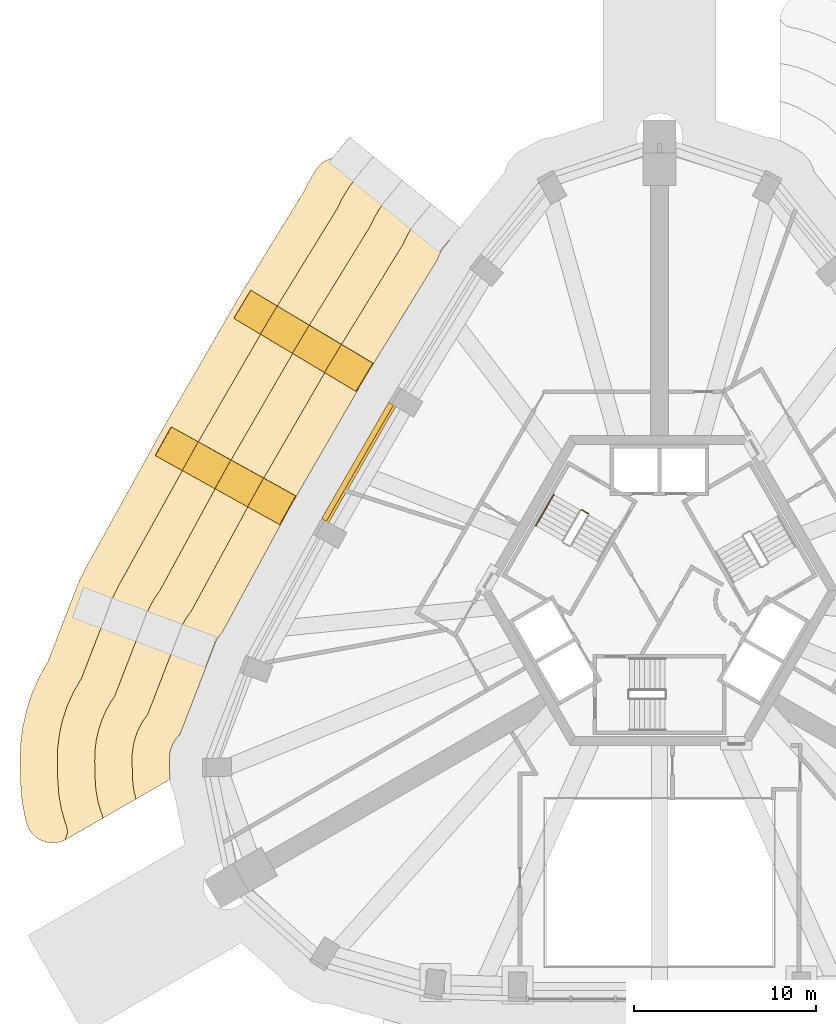
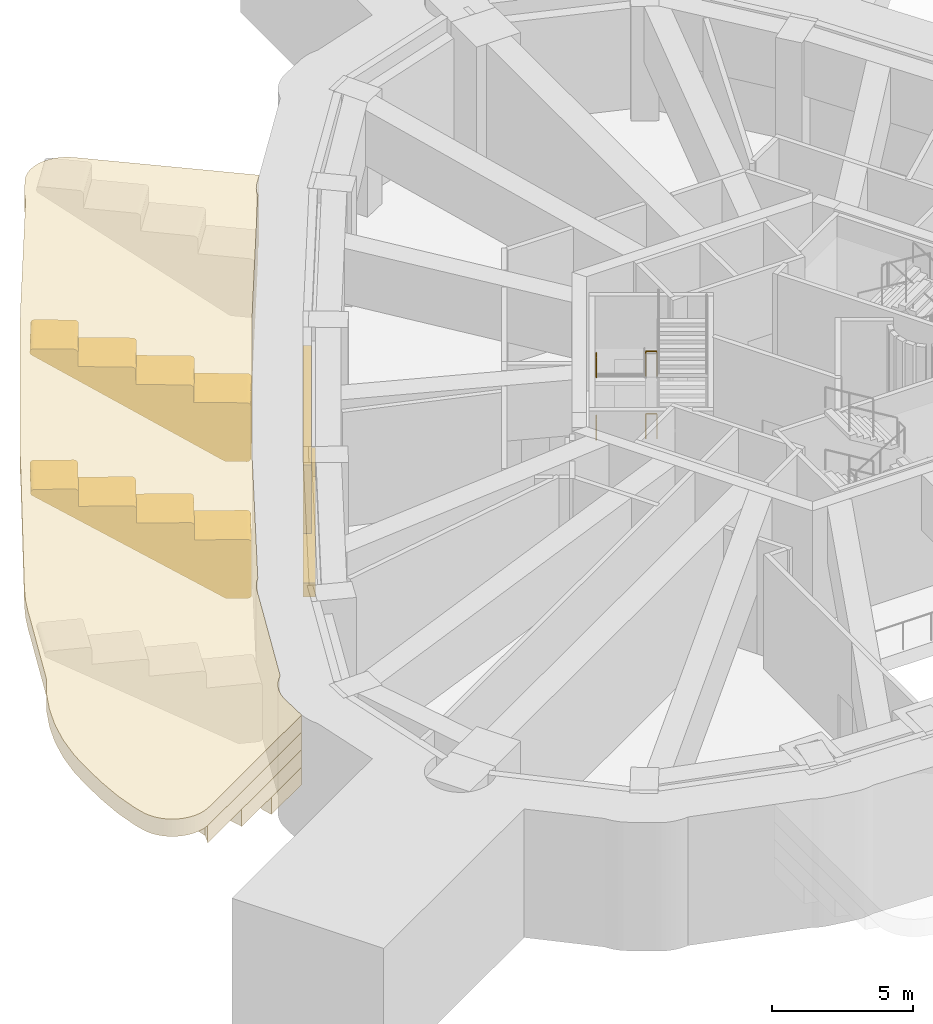
# One storey, part 13 of 15: 7 coverings, 4 railings, 1 shading device.
"""IFC4 building model written with IfcOpenShell, lengths in metres."""

from ifc_helpers import new_model, si_unit, direction, frame, origin, origin_2d, place, context, subcontext, project, spatial, polyline, rectangle, circle, outline, extrude, material, layer, layer_set, type_object, element, save


model = new_model("IFC4")

# Units and contexts
model_context = context("Model", 3, precision=1e-05, world=origin(), true_north=direction((0.0, 1.0)))
body_context = subcontext(model_context, "Body", "Model", "MODEL_VIEW")
ifc_project = project(units=[si_unit("LENGTHUNIT", "METRE"), si_unit("AREAUNIT", "SQUARE_METRE"), si_unit("VOLUMEUNIT", "CUBIC_METRE"), si_unit("PLANEANGLEUNIT", "RADIAN"), si_unit("MASSUNIT", "GRAM", prefix="KILO")], contexts=[model_context])

# Site, building, storey
site_placement = place(None, origin())
site = spatial("IfcSite", under=ifc_project, at=site_placement, CompositionType="ELEMENT")
building_placement = place(site_placement, origin())
building = spatial("IfcBuilding", under=site, at=building_placement, Name="Entoto Arch Interchange Tower", CompositionType="ELEMENT")
storey_placement = place(building_placement, frame((0.0, 0.0, 326.0)))
storey = spatial("IfcBuildingStorey", under=building, at=storey_placement, Name="L77", CompositionType="ELEMENT", Elevation=326.0)

# Shading device
ifc_material_1 = material(Name="Aluminium, anodised", Category="aluminium")
ifc_layer = layer(ifc_material_1, 0.300048828125)
ifc_layer_set = layer_set([ifc_layer], Name="Aluminium, anodised")
shading_device_type = type_object("IfcShadingDeviceType", Name="PLANT LOUVRE ALUMINIUM", PredefinedType="JALOUSIE", material=ifc_layer_set)
shading_device_placement = place(storey_placement, frame((-16.56005859375, 9.56103515625, 1.2001953125), z_axis=(0.0, 0.0, 1.0), x_axis=(-0.49990930729, -0.866077758913, 0.0)))
element("IfcShadingDevice", 1, at=shading_device_placement, inside=storey, type_object=shading_device_type, Name="Plant louvre NW-02 L77", PredefinedType="JALOUSIE", context=body_context, shape_type="SweptSolid", body=[
    extrude(rectangle(XDim=7.35693359375, YDim=0.300048828125, at=origin_2d()), origin(), (0.0, 0.0, 1.0), 2.949951171875),
])

# Coverings
ifc_material_2 = material(Name="Board-marked precast concrete C50/60", Category="concrete")
covering_type_1 = type_object("IfcCoveringType", Name="PRECAST FRAME COURSE", PredefinedType="CLADDING", material=ifc_material_2)
covering_1_placement = place(storey_placement, frame((0.0, 0.0, 4.199951171875)))
element("IfcCovering", 2, at=covering_1_placement, inside=storey, type_object=covering_type_1, Name="Cantilever cornice nw-L77 1", PredefinedType="CLADDING", context=body_context, shape_type="SweptSolid", body=[
    extrude(outline(polyline([(-32.782958984375, -11.258056640625), (-32.9208984375, -11.298095703125), (-33.06298828125, -11.324951171875), (-33.2060546875, -11.337890625), (-33.35009765625, -11.3369140625), (-33.492919921875, -11.322998046875), (-33.634033203125, -11.294921875), (-33.77197265625, -11.2529296875), (-33.906005859375, -11.198974609375), (-34.032958984375, -11.132080078125), (-34.153076171875, -11.052978515625), (-34.26611328125, -10.9619140625), (-34.368896484375, -10.862060546875), (-34.4619140625, -10.751953125), (-34.5439453125, -10.634033203125), (-34.614013671875, -10.508056640625), (-34.672119140625, -10.3759765625), (-34.717041015625, -10.239013671875), (-34.73193359375, -10.18505859375), (-34.7900390625, -9.97509765625), (-34.822021484375, -9.8310546875), (-34.964111328125, -9.010009765625), (-34.98193359375, -8.864013671875), (-35.0458984375, -7.9951171875), (-35.050048828125, -7.922119140625), (-35.072021484375, -6.9951171875), (-35.072021484375, -6.922119140625), (-35.06689453125, -6.693115234375), (-35.051025390625, -6.051025390625), (-35.0400390625, -5.904052734375), (-34.93701171875, -5.076904296875), (-34.912109375, -4.931884765625), (-34.72900390625, -4.117919921875), (-34.68994140625, -3.97607421875), (-34.492919921875, -3.3798828125), (-34.427978515625, -3.18408203125), (-34.375, -3.047119140625), (-34.037109375, -2.284912109375), (-33.970947265625, -2.153076171875), (-33.679931640625, -1.64111328125), (-33.571044921875, -1.447998046875), (-33.5439453125, -1.39990234375), (-33.52392578125, -1.34912109375), (-32.822021484375, 0.466064453125), (-32.217041015625, 2.029052734375), (-32.216064453125, 2.032958984375), (-32.215087890625, 2.035888671875), (-32.069091796875, 2.424072265625), (-32.049072265625, 2.47607421875), (-31.7958984375, 3.0810546875), (-31.75, 3.180908203125), (-31.4541015625, 3.76611328125), (-31.427978515625, 3.81494140625), (-30.373046875, 5.718994140625), (-27.820068359375, 10.324951171875), (-27.81103515625, 10.340087890625), (-27.802978515625, 10.35595703125), (-27.780029296875, 10.405029296875), (-27.779052734375, 10.405029296875), (-27.7451171875, 10.469970703125), (-27.68994140625, 10.570068359375), (-27.280029296875, 11.306884765625), (-27.27392578125, 11.318115234375), (-27.195068359375, 11.45703125), (-27.18896484375, 11.468017578125), (-23.5380859375, 17.77490234375), (-23.531982421875, 17.785888671875), (-23.52587890625, 17.797119140625), (-23.452880859375, 17.93408203125), (-23.416015625, 17.998046875), (-22.923095703125, 18.821044921875), (-22.9189453125, 18.827880859375), (-22.885009765625, 18.884033203125), (-22.865966796875, 18.916015625), (-22.861083984375, 18.923095703125), (-21.303955078125, 21.4580078125), (-19.47412109375, 24.43701171875), (-19.452880859375, 24.471923828125), (-19.43505859375, 24.508056640625), (-19.27587890625, 24.843994140625), (-19.2060546875, 24.972900390625), (-18.988037109375, 25.3369140625), (-18.864013671875, 25.54296875), (-18.779052734375, 25.6689453125), (-18.681884765625, 25.785888671875), (-18.573974609375, 25.89208984375), (-18.4560546875, 25.987060546875), (-18.3291015625, 26.069091796875), (-18.194091796875, 26.137939453125), (-18.052978515625, 26.193115234375), (-17.906982421875, 26.23388671875), (-17.757080078125, 26.259033203125), (-17.60595703125, 26.27001953125), (-17.455078125, 26.264892578125), (-17.303955078125, 26.2451171875), (-17.156982421875, 26.2099609375), (-17.013916015625, 26.159912109375), (-16.876953125, 26.095947265625), (-16.74609375, 26.01806640625), (-16.625, 25.927978515625), (-11.532958984375, 21.736083984375), (-11.5048828125, 21.7119140625), (-11.510009765625, 21.705078125), (-11.822021484375, 21.325927734375), (-11.927978515625, 21.18408203125), (-12.01904296875, 21.032958984375), (-12.094970703125, 20.8740234375), (-12.154052734375, 20.70703125), (-12.1630859375, 20.672119140625), (-15.876953125, 14.626953125), (-15.886962890625, 14.610107421875), (-16.40087890625, 13.751953125), (-16.48388671875, 13.595947265625), (-16.489990234375, 13.5830078125), (-20.094970703125, 7.35498046875), (-20.110107421875, 7.327880859375), (-20.595947265625, 6.4541015625), (-20.655029296875, 6.333984375), (-23.98291015625, 0.197998046875), (-24.010009765625, 0.172119140625), (-24.1240234375, 0.037109375), (-24.22509765625, -0.10888671875), (-24.31005859375, -0.262939453125), (-24.3798828125, -0.425048828125), (-24.552001953125, -0.885009765625), (-26.298095703125, -5.39697265625), (-26.37890625, -5.47509765625), (-26.4951171875, -5.60791015625), (-26.596923828125, -5.7529296875), (-26.68408203125, -5.906005859375), (-26.7548828125, -6.068115234375), (-26.81103515625, -6.236083984375), (-26.85009765625, -6.407958984375), (-26.87109375, -6.5830078125), (-26.8759765625, -6.760009765625), (-26.85107421875, -7.760009765625), (-26.843994140625, -7.861083984375), (-32.52099609375, -11.138916015625), (-32.64892578125, -11.205078125), (-32.782958984375, -11.258056640625)])), origin(), (0.0, 0.0, 1.0), 0.75),
])
covering_2_placement = place(storey_placement, frame((0.0, 0.0, 3.449951171875)))
element("IfcCovering", 3, at=covering_2_placement, inside=storey, type_object=covering_type_1, Name="Cantilever cornice nw-L77 2", PredefinedType="CLADDING", context=body_context, shape_type="SweptSolid", body=[
    extrude(outline(polyline([(-11.532958984375, 21.736083984375), (-11.532958984375, 21.736083984375), (-11.5048828125, 21.7119140625), (-11.510009765625, 21.705078125), (-11.822021484375, 21.325927734375), (-11.927978515625, 21.18408203125), (-12.01904296875, 21.032958984375), (-12.094970703125, 20.8740234375), (-12.154052734375, 20.70703125), (-12.1630859375, 20.672119140625), (-15.876953125, 14.626953125), (-15.886962890625, 14.610107421875), (-16.40087890625, 13.751953125), (-16.48388671875, 13.595947265625), (-16.489990234375, 13.5830078125), (-20.094970703125, 7.35498046875), (-20.110107421875, 7.327880859375), (-20.595947265625, 6.4541015625), (-20.655029296875, 6.333984375), (-23.98291015625, 0.197998046875), (-24.010009765625, 0.172119140625), (-24.1240234375, 0.037109375), (-24.22509765625, -0.10888671875), (-24.31005859375, -0.262939453125), (-24.3798828125, -0.425048828125), (-24.552001953125, -0.885009765625), (-26.298095703125, -5.39697265625), (-26.37890625, -5.47509765625), (-26.4951171875, -5.60791015625), (-26.596923828125, -5.7529296875), (-26.68408203125, -5.906005859375), (-26.7548828125, -6.068115234375), (-26.81103515625, -6.236083984375), (-26.85009765625, -6.407958984375), (-26.87109375, -6.5830078125), (-26.8759765625, -6.760009765625), (-26.85107421875, -7.760009765625), (-26.843994140625, -7.861083984375), (-32.52099609375, -11.138916015625), (-32.595947265625, -11.177001953125), (-32.4560546875, -10.740966796875), (-32.52392578125, -10.407958984375), (-32.60107421875, -10.20703125), (-32.80908203125, -9.455078125), (-32.94189453125, -8.68701171875), (-33.0, -7.908935546875), (-33.02392578125, -6.908935546875), (-33.00390625, -6.12890625), (-32.908935546875, -5.35498046875), (-32.738037109375, -4.593994140625), (-32.492919921875, -3.85302734375), (-32.176025390625, -3.139892578125), (-31.791015625, -2.4609375), (-31.712890625, -2.35009765625), (-30.300048828125, 1.302978515625), (-30.139892578125, 1.73095703125), (-29.9140625, 2.27294921875), (-29.64794921875, 2.797119140625), (-26.02001953125, 9.343994140625), (-25.970947265625, 9.44189453125), (-25.485107421875, 10.31591796875), (-25.41796875, 10.43603515625), (-21.77587890625, 16.72705078125), (-21.677001953125, 16.9130859375), (-21.1630859375, 17.77099609375), (-21.116943359375, 17.845947265625), (-17.659912109375, 23.472900390625), (-17.43798828125, 23.94091796875), (-17.035888671875, 24.610107421875), (-16.570068359375, 25.235107421875), (-16.27587890625, 25.592041015625), (-16.2529296875, 25.6220703125), (-11.532958984375, 21.736083984375)])), origin(), (0.0, 0.0, 1.0), 0.75),
])
covering_3_placement = place(storey_placement, frame((0.0, 0.0, 2.699951171875)))
element("IfcCovering", 4, at=covering_3_placement, inside=storey, type_object=covering_type_1, Name="Cantilever cornice nw-L77 3", PredefinedType="CLADDING", context=body_context, shape_type="SweptSolid", body=[
    extrude(outline(polyline([(-11.532958984375, 21.736083984375), (-11.532958984375, 21.736083984375), (-11.5048828125, 21.7119140625), (-11.510009765625, 21.705078125), (-11.822021484375, 21.325927734375), (-11.927978515625, 21.18408203125), (-12.01904296875, 21.032958984375), (-12.094970703125, 20.8740234375), (-12.154052734375, 20.70703125), (-12.1630859375, 20.672119140625), (-15.876953125, 14.626953125), (-15.886962890625, 14.610107421875), (-16.40087890625, 13.751953125), (-16.48388671875, 13.595947265625), (-16.489990234375, 13.5830078125), (-20.094970703125, 7.35498046875), (-20.110107421875, 7.327880859375), (-20.595947265625, 6.4541015625), (-20.655029296875, 6.333984375), (-23.98291015625, 0.197998046875), (-24.010009765625, 0.172119140625), (-24.1240234375, 0.037109375), (-24.22509765625, -0.10888671875), (-24.31005859375, -0.262939453125), (-24.3798828125, -0.425048828125), (-24.552001953125, -0.885009765625), (-26.298095703125, -5.39697265625), (-26.37890625, -5.47509765625), (-26.4951171875, -5.60791015625), (-26.596923828125, -5.7529296875), (-26.68408203125, -5.906005859375), (-26.7548828125, -6.068115234375), (-26.81103515625, -6.236083984375), (-26.85009765625, -6.407958984375), (-26.87109375, -6.5830078125), (-26.8759765625, -6.760009765625), (-26.85107421875, -7.760009765625), (-26.843994140625, -7.861083984375), (-30.51904296875, -9.98291015625), (-30.547119140625, -9.843994140625), (-30.655029296875, -9.56494140625), (-30.80908203125, -9.007080078125), (-30.907958984375, -8.43603515625), (-30.949951171875, -7.85888671875), (-30.97412109375, -6.85888671875), (-30.9599609375, -6.280029296875), (-30.888916015625, -5.7060546875), (-30.761962890625, -5.14111328125), (-30.580078125, -4.591064453125), (-30.344970703125, -4.06201171875), (-30.06005859375, -3.55810546875), (-29.887939453125, -3.31494140625), (-28.384033203125, 0.573974609375), (-28.219970703125, 1.011962890625), (-27.989990234375, 1.5439453125), (-27.7099609375, 2.051025390625), (-27.39404296875, 2.508056640625), (-24.236083984375, 8.33203125), (-24.179931640625, 8.446044921875), (-23.694091796875, 9.320068359375), (-23.64306640625, 9.408935546875), (-20.02099609375, 15.6669921875), (-19.91796875, 15.85888671875), (-19.404052734375, 16.717041015625), (-19.3701171875, 16.77294921875), (-15.867919921875, 22.47412109375), (-15.632080078125, 22.971923828125), (-15.3330078125, 23.468017578125), (-14.987060546875, 23.931884765625), (-14.68798828125, 24.2958984375), (-14.669921875, 24.319091796875), (-11.532958984375, 21.736083984375)])), origin(), (0.0, 0.0, 1.0), 0.75),
])
covering_4_placement = place(storey_placement, frame((0.0, 0.0, 1.949951171875)))
element("IfcCovering", 5, at=covering_4_placement, inside=storey, type_object=covering_type_1, Name="Cantilever cornice nw-L77 4", PredefinedType="CLADDING", context=body_context, shape_type="SweptSolid", body=[
    extrude(outline(polyline([(-11.532958984375, 21.736083984375), (-11.532958984375, 21.736083984375), (-11.5048828125, 21.7119140625), (-11.510009765625, 21.705078125), (-11.822021484375, 21.325927734375), (-11.927978515625, 21.18408203125), (-12.01904296875, 21.032958984375), (-12.094970703125, 20.8740234375), (-12.154052734375, 20.70703125), (-12.1630859375, 20.672119140625), (-15.876953125, 14.626953125), (-15.886962890625, 14.610107421875), (-16.40087890625, 13.751953125), (-16.48388671875, 13.595947265625), (-16.489990234375, 13.5830078125), (-20.094970703125, 7.35498046875), (-20.110107421875, 7.327880859375), (-20.595947265625, 6.4541015625), (-20.655029296875, 6.333984375), (-23.98291015625, 0.197998046875), (-24.010009765625, 0.172119140625), (-24.1240234375, 0.037109375), (-24.22509765625, -0.10888671875), (-24.31005859375, -0.262939453125), (-24.3798828125, -0.425048828125), (-24.552001953125, -0.885009765625), (-26.298095703125, -5.39697265625), (-26.37890625, -5.47509765625), (-26.4951171875, -5.60791015625), (-26.596923828125, -5.7529296875), (-26.68408203125, -5.906005859375), (-26.7548828125, -6.068115234375), (-26.81103515625, -6.236083984375), (-26.85009765625, -6.407958984375), (-26.87109375, -6.5830078125), (-26.8759765625, -6.760009765625), (-26.85107421875, -7.760009765625), (-26.843994140625, -7.861083984375), (-28.702880859375, -8.93408203125), (-28.7080078125, -8.922119140625), (-28.80908203125, -8.55810546875), (-28.873046875, -8.18603515625), (-28.90087890625, -7.80908203125), (-28.925048828125, -6.81005859375), (-28.916015625, -6.431884765625), (-28.868896484375, -6.056884765625), (-28.785888671875, -5.68798828125), (-28.66796875, -5.330078125), (-28.514892578125, -4.98388671875), (-28.327880859375, -4.655029296875), (-28.111083984375, -4.346923828125), (-28.072021484375, -4.302001953125), (-26.468017578125, -0.155029296875), (-26.300048828125, 0.2939453125), (-26.14990234375, 0.639892578125), (-25.967041015625, 0.970947265625), (-25.7529296875, 1.281982421875), (-25.681884765625, 1.365966796875), (-22.445068359375, 7.3330078125), (-22.387939453125, 7.449951171875), (-21.902099609375, 8.323974609375), (-21.868896484375, 8.382080078125), (-18.26611328125, 14.60693359375), (-18.159912109375, 14.805908203125), (-17.64599609375, 15.6640625), (-17.623046875, 15.699951171875), (-14.02392578125, 21.56005859375), (-13.987060546875, 21.660888671875), (-13.824951171875, 22.001953125), (-13.631103515625, 22.325927734375), (-13.405029296875, 22.62890625), (-13.09912109375, 23.0009765625), (-13.0869140625, 23.014892578125), (-11.532958984375, 21.736083984375)])), origin(), (0.0, 0.0, 1.0), 0.75),
])
covering_5_placement = place(storey_placement, frame((-16.51611328125, 15.452880859375, -0.574951171875), z_axis=(0.514033319224, 0.85776469357, 0.003078504829), x_axis=(0.773277123673, -0.461843166588, -0.434446060494)))
element("IfcCovering", 6, at=covering_5_placement, inside=storey, type_object=covering_type_1, Name="Fold rib NW02 L77", PredefinedType="CLADDING", context=body_context, shape_type="SweptSolid", body=[
    extrude(outline(polyline([(0.0, 0.0), (0.043836642218381267, -3.469446951953614e-18), (0.08570702747544542, -0.013422863552097007), (0.7380408823562807, -0.329155321187338), (0.7715919892148437, -0.3564532547440618), (0.7959858075904571, -0.3939673647398047), (0.8083651282551991, -0.4365345646266912), (0.808026533930766, -0.47973841027181335), (0.7945145081128712, -0.5220139193248179), (-0.18243572133905306, -2.548862224159215), (-0.20816412778749438, -2.5852408847629076), (-0.22917770923831315, -2.605193847587519), (-0.25450503031780436, -2.6195387726469503), (-0.2967036103124514, -2.632526428542314), (-0.3416703910083625, -2.631979018006206), (-0.3830597252962462, -2.6185211393522643), (-2.0672016701756357, -1.8061817671910267), (-2.33544104290714, -2.359594265243217), (-2.353191712260498, -2.383287966599145), (-2.386794216412184, -2.410450729619248), (-2.427247565519437, -2.427530868840349), (-2.471950075539608, -2.431447259146611), (-2.5006800703887544, -2.4265352471730974), (-2.5280873097692496, -2.416568221188502), (-4.239871418034353, -1.5908943996886782), (-4.50735563732477, -2.1446694277267415), (-4.524655287960757, -2.1685835395200312), (-4.558708810829813, -2.195525892102773), (-4.599917313378155, -2.2122435013380004), (-4.643413651239866, -2.2167428320674984), (-4.672594664806384, -2.2116104096566227), (-4.700757057627968, -2.201280853686153), (-6.41114620537434, -1.3762806051060328), (-6.679574366466116, -1.9296024706617554), (-6.697325035819475, -1.9532961720176827), (-6.731378558688531, -1.9802385246004244), (-6.772587061236871, -1.9969561338356514), (-6.816083399098584, -2.00145546456515), (-6.845264412665102, -1.9963230421542733), (-6.8726716520455975, -1.9863560161696778), (-8.134590299045888, -1.3776746411108785), (-8.170888468562353, -1.3536617711571526), (-8.190626202633984, -1.3305890525575652), (-8.205943713994571, -1.3055810021811163), (-8.217948049622871, -1.2631986828444646), (-8.219119510174181, -1.2336308800742062), (-8.214681916195875, -1.2048679110399547), (-8.204210184159887, -1.1776642255369976), (-8.189013960473309, -1.1516531632368778), (-8.168407302413556, -1.1304225579309501), (-8.144455009828807, -1.113243219304886), (-8.117590626880721, -1.1007233472628783), (-8.089187141745402, -1.0943625511397719), (0.0, 0.0)])), origin(), (0.0, 0.0, -1.0), 1.800048828125),
])
covering_6_placement = place(storey_placement, frame((-20.76611328125, 8.14990234375, -0.574951171875), z_axis=(0.485988157277, 0.873960178083, 0.003019621064), x_axis=(0.786014588631, -0.435567969589, -0.438704468096)))
element("IfcCovering", 7, at=covering_6_placement, inside=storey, type_object=covering_type_1, Name="Fold rib NW03 L77", PredefinedType="CLADDING", context=body_context, shape_type="SweptSolid", body=[
    extrude(outline(polyline([(0.0, 0.0), (0.043408135883344134, 0.0), (0.08497520578687244, -0.013500690372436373), (0.7362481747686886, -0.33253379170755654), (0.7701705819133711, -0.36023444606436), (0.7941963013039948, -0.39777532934131504), (0.8061396161156369, -0.4402813363836117), (0.8056025709078894, -0.4834880968146502), (0.7929287955029815, -0.5262053697631723), (-0.19529172856639876, -2.547581387131226), (-0.21968477340648107, -2.5845745255721035), (-0.24167445149581201, -2.6039970051089707), (-0.26670376278508356, -2.6184026091504577), (-0.3095401536608501, -2.6309064273501166), (-0.35382222175222955, -2.6304806562120215), (-0.3952821860727267, -2.6167605746470155), (-2.0755593326759407, -1.79645759157302), (-2.346042762384509, -2.3487787784243364), (-2.3640942647526115, -2.3722957692100555), (-2.397639108021941, -2.3993874753097155), (-2.4391181876902532, -2.4158132793349956), (-2.482961502928484, -2.419947857471525), (-2.5118975020652945, -2.41478995152398), (-2.5393494443924496, -2.4046444319007874), (-4.246796751888236, -1.5710801131477579), (-4.517897439035034, -2.123097489072844), (-4.535438023801232, -2.1468656592803383), (-4.569068425327163, -2.1739167119760436), (-4.610461946738874, -2.1903831694052784), (-4.654305261977105, -2.1945177475418083), (-4.683666620459216, -2.189149315576443), (-4.710586863604744, -2.1792669534755253), (-6.418332409029784, -1.345556718309631), (-6.688473605711943, -1.8980405187767673), (-6.70633320998712, -1.9216507944708967), (-6.740837543721086, -1.948276076028507), (-6.781699365951168, -1.9650056909800169), (-6.8255426811894, -1.9691402691165463), (-6.854136447299801, -1.9641449767848216), (-6.881930622653364, -1.9538368435458087), (-8.140689464103385, -1.3393170468531483), (-8.17777595281009, -1.3146930484111583), (-8.196287003811886, -1.2920719527476123), (-8.217174017700444, -1.253074571637491), (-8.223514042879833, -1.2244409148244597), (-8.22488284032878, -1.1947061694624024), (-8.22036464528462, -1.165937681076473), (-8.209579624992623, -1.138873323875584), (-8.194445094191055, -1.112845012474617), (-8.174093877694647, -1.0915355313779158), (-8.150253824086448, -1.074377339106817), (-8.123010356925473, -1.0621385913503931), (-8.09456360752646, -1.0559214232903331), (0.0, 0.0)])), origin(), (0.0, 0.0, -1.0), 1.800048828125),
])
covering_type_2 = type_object("IfcCoveringType", Name="PRECAST LEDGE COURSE", PredefinedType="CLADDING", material=ifc_material_2)
covering_7_placement = place(storey_placement, frame((0.0, 0.0, -1.199951171875)))
element("IfcCovering", 8, at=covering_7_placement, inside=storey, type_object=covering_type_2, Name="Precast course NW-02 L77", PredefinedType="CLADDING", context=body_context, shape_type="SweptSolid", body=[
    extrude(outline(polyline([(-18.385986328125, 5.797119140625), (-18.780029296875, 6.01611328125), (-14.60009765625, 13.256103515625), (-14.212890625, 13.02392578125), (-18.385986328125, 5.797119140625)])), origin(), (0.0, 0.0, 1.0), 0.599853515625),
])

# Railings
ifc_material_3 = material(Name="Stainless steel 1.4301", Category="steel")
railing_type_1 = type_object("IfcRailingType", Name="STAIR GUARD 1100 STEEL", PredefinedType="GUARDRAIL", material=ifc_material_3)
for number, where, name in (
    (9, (-4.259521484375, 6.92236328125, 2.699951171875), "L77 ST-NW stair guard 4"),
    (10, (-4.259521484375, 6.92236328125, 0.0), "L77 ST-NW stair guard 8"),
):
    element("IfcRailing", number, at=place(storey_placement, frame(where)), inside=storey, type_object=railing_type_1, Name=name, PredefinedType="GUARDRAIL", context=body_context, shape_type="SweptSolid", body=[
        extrude(circle(Radius=0.02392578125, at=origin_2d()), frame((0.0, 0.0, 1.076171875), z_axis=(0.865829829939, -0.500338590944, 0.0), x_axis=(0.500338590944, 0.865829829939, 0.0)), (0.0, 0.0, 1.0), 0.400146484375),
        extrude(circle(Radius=0.02099609375, at=origin_2d()), origin(), (0.0, 0.0, 1.0), 1.052001953125),
        extrude(circle(Radius=0.02099609375, at=origin_2d()), frame((0.346435546875, -0.2001953125, 0.0)), (0.0, 0.0, 1.0), 1.052001953125),
    ])
railing_type_2 = type_object("IfcRailingType", Name="STAIR HANDRAIL 900 STEEL", PredefinedType="HANDRAIL", material=ifc_material_3)
for number, where, name in (
    (11, (-5.800048828125, 7.75390625, 0.168701171875), "L77 ST-NW stair handrail 1"),
    (12, (-5.800048828125, 7.75390625, 2.86865234375), "L77 ST-NW stair handrail 3"),
):
    element("IfcRailing", number, at=place(storey_placement, frame(where)), inside=storey, type_object=railing_type_2, Name=name, PredefinedType="HANDRAIL", context=body_context, shape_type="SweptSolid", body=[
        extrude(circle(Radius=0.02392578125, at=origin_2d()), frame((0.0, 0.0, 0.8759765625), z_axis=(-0.428238462606, -0.741682559053, 0.516254589076), x_axis=(0.866011328839, -0.500024377727, 0.0)), (0.0, 0.0, 1.0), 2.288330078125),
        extrude(circle(Radius=0.02099609375, at=origin_2d()), origin(), (0.0, 0.0, 1.0), 0.851806640625),
        extrude(circle(Radius=0.02099609375, at=origin_2d()), frame((-0.489990234375, -0.8486328125, 0.5908203125)), (0.0, 0.0, 1.0), 0.851806640625),
        extrude(circle(Radius=0.02099609375, at=origin_2d()), frame((-0.97998046875, -1.697265625, 1.181396484375)), (0.0, 0.0, 1.0), 0.851806640625),
    ])

save(model, "model.ifc")
